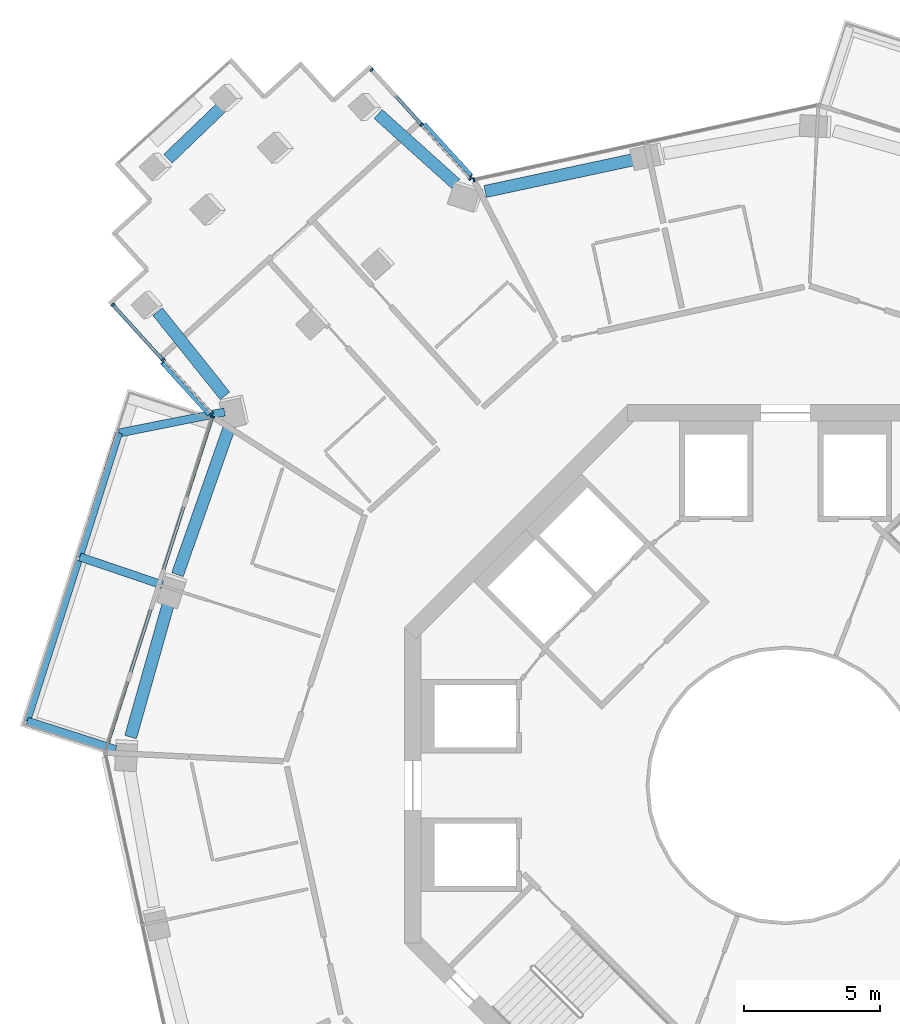
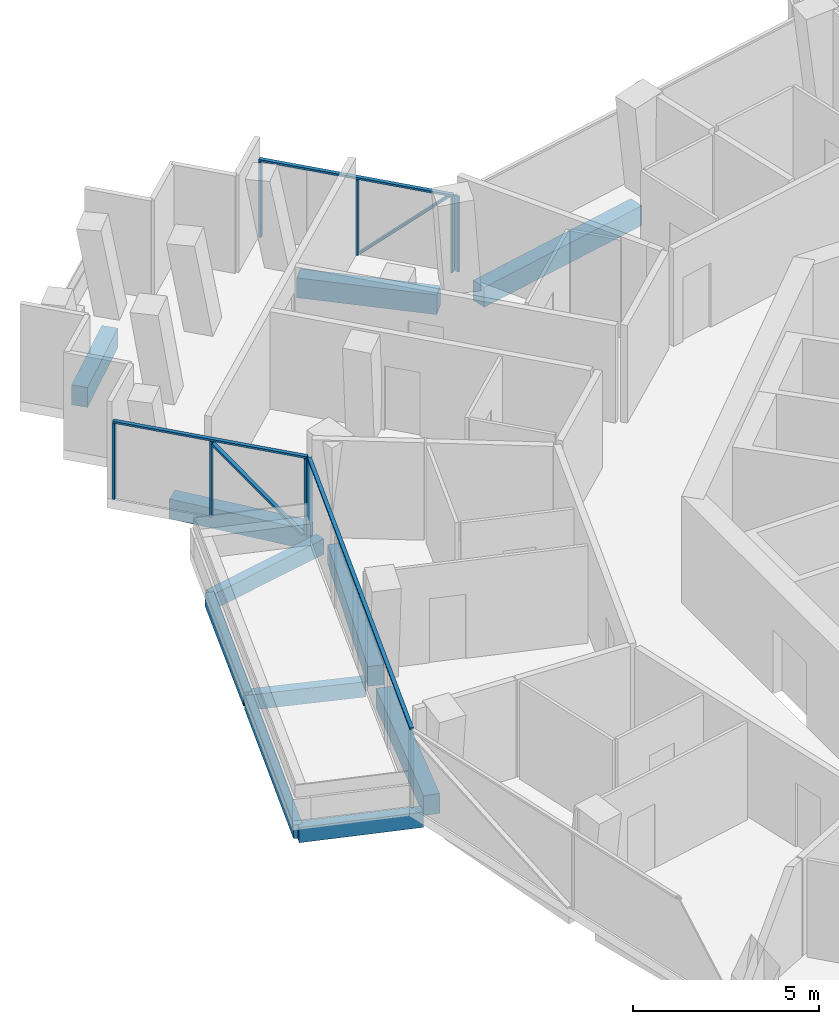
# One storey, part 6 of 23: 13 members, 11 beams, 4 elements without a shape of their own.
"""IFC4 building model written with IfcOpenShell, lengths in metres."""

from ifc_helpers import new_model, si_unit, direction, frame, origin, origin_2d, place, context, subcontext, project, spatial, rectangle, extrude, material, layer, layer_set, material_profile, profile_set, type_object, element, aggregate, save


model = new_model("IFC4")

# Units and contexts
model_context = context("Model", 3, precision=1e-05, world=origin(), true_north=direction((0.0, 1.0)))
body_context = subcontext(model_context, "Body", "Model", "MODEL_VIEW")
ifc_project = project(units=[si_unit("LENGTHUNIT", "METRE"), si_unit("AREAUNIT", "SQUARE_METRE"), si_unit("VOLUMEUNIT", "CUBIC_METRE"), si_unit("PLANEANGLEUNIT", "RADIAN"), si_unit("MASSUNIT", "GRAM", prefix="KILO")], contexts=[model_context])

# Site, building, storey
site_placement = place(None, origin())
site = spatial("IfcSite", under=ifc_project, at=site_placement, CompositionType="ELEMENT")
building_placement = place(site_placement, origin())
building = spatial("IfcBuilding", under=site, at=building_placement, Name="Verdalira Terraces Hotel", CompositionType="ELEMENT")
storey_placement = place(building_placement, frame((0.0, 0.0, 205.5)))
storey = spatial("IfcBuildingStorey", under=building, at=storey_placement, Name="L50", CompositionType="ELEMENT", Elevation=205.5)

# Beams
ifc_material_1 = material(Name="Concrete C40", Category="concrete")
ifc_material_profile_1 = material_profile(ifc_material_1, rectangle(XDim=0.300049, YDim=0.5, at=origin_2d()), Name="RC 300X500")
ifc_profile_set_1 = profile_set([ifc_material_profile_1], Name="Concrete C40")
beam_type_1 = type_object("IfcBeamType", Name="Balcony cantilever beam RC 300X500 C40", PredefinedType="BEAM", material=ifc_profile_set_1)
beam_1_placement = place(storey_placement, frame((-20.615479, 13.725586, -0.560059), z_axis=(-0.980692245, -0.195557463, 0.0), x_axis=(0.195557463, -0.980692245, 0.0)))
element("IfcBeam", 1, at=beam_1_placement, inside=storey, type_object=beam_type_1, Name="Balcony cantilever beam R11-1", PredefinedType="BEAM", context=body_context, shape_type="SweptSolid", body=[
    extrude(rectangle(XDim=0.300049, YDim=0.5, at=origin_2d()), origin(), (0.0, 0.0, 1.0), 3.949951),
])
beam_2_placement = place(storey_placement, frame((-22.901123, 7.37085, -0.560059), z_axis=(-0.947092604, 0.320960432, 0.0), x_axis=(-0.320960432, -0.947092604, 0.0)))
element("IfcBeam", 2, at=beam_2_placement, inside=storey, type_object=beam_type_1, Name="Balcony cantilever beam R11-2", PredefinedType="BEAM", context=body_context, shape_type="SweptSolid", body=[
    extrude(rectangle(XDim=0.300049, YDim=0.5, at=origin_2d()), origin(), (0.0, 0.0, 1.0), 3.200928),
])
beam_3_placement = place(storey_placement, frame((-24.617676, 1.321533, -0.560059), z_axis=(-0.952332685, 0.305061398, 0.0), x_axis=(-0.305061398, -0.952332685, 0.0)))
element("IfcBeam", 3, at=beam_3_placement, inside=storey, type_object=beam_type_1, Name="Balcony cantilever beam R11-3", PredefinedType="BEAM", context=body_context, shape_type="SweptSolid", body=[
    extrude(rectangle(XDim=0.300049, YDim=0.5, at=origin_2d()), origin(), (0.0, 0.0, 1.0), 3.410889),
])
ifc_material_2 = material(Name="Concrete C40", Category="concrete")
ifc_material_profile_2 = material_profile(ifc_material_2, rectangle(XDim=0.25, YDim=0.449951, at=origin_2d()), Name="RC 250X450")
ifc_profile_set_2 = profile_set([ifc_material_profile_2], Name="Concrete C40")
beam_type_2 = type_object("IfcBeamType", Name="Balcony edge beam RC 250X450 C40", PredefinedType="BEAM", material=ifc_profile_set_2)
beam_4_placement = place(storey_placement, frame((-24.489258, 12.953125, -0.534912), z_axis=(-0.302075131, -0.953284121, 0.0), x_axis=(0.953284121, -0.302075131, 0.0)))
element("IfcBeam", 4, at=beam_4_placement, inside=storey, type_object=beam_type_2, Name="Balcony edge beam R11-1", PredefinedType="BEAM", context=body_context, shape_type="SweptSolid", body=[
    extrude(rectangle(XDim=0.25, YDim=0.449951, at=origin_2d()), origin(), (0.0, 0.0, 1.0), 4.778076),
])
beam_5_placement = place(storey_placement, frame((-25.978271, 8.255127, -0.534912), z_axis=(-0.305056299, -0.952334319, 0.0), x_axis=(0.952334319, -0.305056299, 0.0)))
element("IfcBeam", 5, at=beam_5_placement, inside=storey, type_object=beam_type_2, Name="Balcony edge beam R11-2", PredefinedType="BEAM", context=body_context, shape_type="SweptSolid", body=[
    extrude(rectangle(XDim=0.25, YDim=0.449951, at=origin_2d()), origin(), (0.0, 0.0, 1.0), 6.187988),
])

# Curtain wall, member
ifc_material_3 = material(Name="Clear glass", Category="glass")
ifc_layer_1 = layer(ifc_material_3, 0.14990234375)
ifc_layer_set_1 = layer_set([ifc_layer_1], Name="CW1 curtain wall")
curtain_wall_type_1 = type_object("IfcCurtainWallType", Name="CW1 curtain wall", PredefinedType="NOTDEFINED", material=ifc_layer_set_1)
curtain_wall_1_placement = place(storey_placement, origin())
curtain_wall_1 = element("IfcCurtainWall", 6, at=curtain_wall_1_placement, inside=storey, type_object=curtain_wall_type_1, Name="CW1 curtain wall L50 edge 11", PredefinedType="NOTDEFINED")
ifc_material_4 = material(Name="Terracotta frame", Category="masonry")
ifc_material_profile_3 = material_profile(ifc_material_4, rectangle(XDim=0.060059, YDim=0.149902, at=origin_2d()), Name="MU 60x150")
ifc_profile_set_3 = profile_set([ifc_material_profile_3], Name="Terracotta frame")
member_type_1 = type_object("IfcMemberType", Name="CW1 mullion 60x150", PredefinedType="MULLION", material=ifc_profile_set_3)
member_1_placement = place(storey_placement, frame((-21.057373, 13.53833, 0.0), z_axis=(0.0, 0.0, 1.0), x_axis=(-0.305030519, -0.952342576, 0.0)))
member_1 = element("IfcMember", 7, at=member_1_placement, type_object=member_type_1, Name="CW1 mullion", PredefinedType="MULLION", context=body_context, shape_type="SweptSolid", body=[
    extrude(rectangle(XDim=0.060059, YDim=0.149902, at=origin_2d()), origin(), (0.0, 0.0, 1.0), 2.475098),
])

curtain_wall_2_placement = place(storey_placement, origin())
curtain_wall_2 = element("IfcCurtainWall", 8, at=curtain_wall_2_placement, inside=storey, type_object=curtain_wall_type_1, Name="CW1 curtain wall L50 edge 41", PredefinedType="NOTDEFINED")
member_2_placement = place(storey_placement, frame((-11.449951, 22.261963, 0.0), z_axis=(0.0, 0.0, 1.0), x_axis=(-0.977268124, -0.21200711, 0.0)))
member_2 = element("IfcMember", 9, at=member_2_placement, type_object=member_type_1, Name="CW1 mullion", PredefinedType="MULLION", context=body_context, shape_type="SweptSolid", body=[
    extrude(rectangle(XDim=0.060059, YDim=0.149902, at=origin_2d()), origin(), (0.0, 0.0, 1.0), 2.475098),
])
aggregate(curtain_wall_2, [member_2])

# Member
ifc_material_5 = material(Name="Terracotta frame", Category="masonry")
ifc_material_profile_4 = material_profile(ifc_material_5, rectangle(XDim=0.110107, YDim=0.064941, at=origin_2d()), Name="TR 65x110")
ifc_profile_set_4 = profile_set([ifc_material_profile_4], Name="Terracotta frame")
member_type_2 = type_object("IfcMemberType", Name="CW1 transom 65x110", PredefinedType="USERDEFINED", material=ifc_profile_set_4)
member_3_placement = place(storey_placement, frame((-21.048096, 13.566895, 2.507568), z_axis=(-0.305027256, -0.952343621, 0.0), x_axis=(0.952343621, -0.305027256, 0.0)))
member_3 = element("IfcMember", 10, at=member_3_placement, type_object=member_type_2, Name="CW1 transom", ObjectType="TRANSOM", PredefinedType="USERDEFINED", context=body_context, shape_type="SweptSolid", body=[
    extrude(rectangle(XDim=0.110107, YDim=0.064941, at=origin_2d()), origin(), (0.0, 0.0, 1.0), 12.959961),
])

aggregate(curtain_wall_1, [member_1, member_3])

# Curtain wall, members
ifc_material_6 = material(Name="Clear glass", Category="glass")
ifc_layer_2 = layer(ifc_material_6, 0.14990234375)
ifc_layer_set_2 = layer_set([ifc_layer_2], Name="CW2 curtain wall")
curtain_wall_type_2 = type_object("IfcCurtainWallType", Name="CW2 curtain wall", PredefinedType="NOTDEFINED", material=ifc_layer_set_2)
curtain_wall_3_placement = place(storey_placement, origin())
curtain_wall_3 = element("IfcCurtainWall", 11, at=curtain_wall_3_placement, inside=storey, type_object=curtain_wall_type_2, Name="CW2 curtain wall L50 edge 0", PredefinedType="NOTDEFINED")
ifc_material_7 = material(Name="Terracotta frame", Category="masonry")
ifc_material_profile_5 = material_profile(ifc_material_7, rectangle(XDim=0.070068, YDim=0.149902, at=origin_2d()), Name="MU 70x150")
ifc_profile_set_5 = profile_set([ifc_material_profile_5], Name="Terracotta frame")
member_type_3 = type_object("IfcMemberType", Name="CW2 mullion 70x150", PredefinedType="MULLION", material=ifc_profile_set_5)
member_4_placement = place(storey_placement, frame((-11.574219, 22.304443, 0.0), z_axis=(0.0, 0.0, 1.0), x_axis=(-0.672237605, 0.740335466, 0.0)))
member_4 = element("IfcMember", 12, at=member_4_placement, type_object=member_type_3, Name="CW2 mullion", PredefinedType="MULLION", context=body_context, shape_type="SweptSolid", body=[
    extrude(rectangle(XDim=0.070068, YDim=0.149902, at=origin_2d()), origin(), (0.0, 0.0, 1.0), 2.475098),
])
member_5_placement = place(storey_placement, frame((-13.36792, 24.279785, 0.0), z_axis=(0.0, 0.0, 1.0), x_axis=(-0.672237605, 0.740335466, 0.0)))
member_5 = element("IfcMember", 13, at=member_5_placement, type_object=member_type_3, Name="CW2 mullion", PredefinedType="MULLION", context=body_context, shape_type="SweptSolid", body=[
    extrude(rectangle(XDim=0.070068, YDim=0.149902, at=origin_2d()), origin(), (0.0, 0.0, 1.0), 2.475098),
])
member_6_placement = place(storey_placement, frame((-15.206543, 26.304443, 0.0), z_axis=(0.0, 0.0, 1.0), x_axis=(-0.672237605, 0.740335466, 0.0)))
member_6 = element("IfcMember", 14, at=member_6_placement, type_object=member_type_3, Name="CW2 mullion", PredefinedType="MULLION", context=body_context, shape_type="SweptSolid", body=[
    extrude(rectangle(XDim=0.070068, YDim=0.149902, at=origin_2d()), origin(), (0.0, 0.0, 1.0), 2.475098),
])

curtain_wall_4_placement = place(storey_placement, origin())
curtain_wall_4 = element("IfcCurtainWall", 15, at=curtain_wall_4_placement, inside=storey, type_object=curtain_wall_type_2, Name="CW2 curtain wall L50 edge 10", PredefinedType="NOTDEFINED")
member_7_placement = place(storey_placement, frame((-24.719727, 17.66626, 0.0), z_axis=(0.0, 0.0, 1.0), x_axis=(0.672237605, -0.740335466, 0.0)))
member_7 = element("IfcMember", 16, at=member_7_placement, type_object=member_type_3, Name="CW2 mullion", PredefinedType="MULLION", context=body_context, shape_type="SweptSolid", body=[
    extrude(rectangle(XDim=0.070068, YDim=0.149902, at=origin_2d()), origin(), (0.0, 0.0, 1.0), 2.475098),
])
member_8_placement = place(storey_placement, frame((-22.881348, 15.641602, 0.0), z_axis=(0.0, 0.0, 1.0), x_axis=(0.672237605, -0.740335466, 0.0)))
member_8 = element("IfcMember", 17, at=member_8_placement, type_object=member_type_3, Name="CW2 mullion", PredefinedType="MULLION", context=body_context, shape_type="SweptSolid", body=[
    extrude(rectangle(XDim=0.070068, YDim=0.149902, at=origin_2d()), origin(), (0.0, 0.0, 1.0), 2.475098),
])
member_9_placement = place(storey_placement, frame((-21.087646, 13.666016, 0.0), z_axis=(0.0, 0.0, 1.0), x_axis=(0.672237605, -0.740335466, 0.0)))
member_9 = element("IfcMember", 18, at=member_9_placement, type_object=member_type_3, Name="CW2 mullion", PredefinedType="MULLION", context=body_context, shape_type="SweptSolid", body=[
    extrude(rectangle(XDim=0.070068, YDim=0.149902, at=origin_2d()), origin(), (0.0, 0.0, 1.0), 2.475098),
])

# Member
ifc_material_8 = material(Name="Terracotta frame", Category="masonry")
ifc_material_profile_6 = material_profile(ifc_material_8, rectangle(XDim=0.11499, YDim=0.064941, at=origin_2d()), Name="TR 65x115")
ifc_profile_set_6 = profile_set([ifc_material_profile_6], Name="Terracotta frame")
member_type_4 = type_object("IfcMemberType", Name="CW2 transom 65x115", PredefinedType="USERDEFINED", material=ifc_profile_set_6)
member_10_placement = place(storey_placement, frame((-11.550781, 22.27832, 2.507568), z_axis=(-0.672206421, 0.740363781, 0.0), x_axis=(-0.740363781, -0.672206421, 0.0)))
member_10 = element("IfcMember", 19, at=member_10_placement, type_object=member_type_4, Name="CW2 transom", ObjectType="TRANSOM", PredefinedType="USERDEFINED", context=body_context, shape_type="SweptSolid", body=[
    extrude(rectangle(XDim=0.11499, YDim=0.064941, at=origin_2d()), origin(), (0.0, 0.0, 1.0), 5.473389),
])

member_11_placement = place(storey_placement, frame((-24.743408, 17.692139, 2.507568), z_axis=(0.672253069, -0.740321424, 0.0), x_axis=(0.740321424, 0.672253069, 0.0)))
member_11 = element("IfcMember", 20, at=member_11_placement, type_object=member_type_4, Name="CW2 transom", ObjectType="TRANSOM", PredefinedType="USERDEFINED", context=body_context, shape_type="SweptSolid", body=[
    extrude(rectangle(XDim=0.11499, YDim=0.064941, at=origin_2d()), origin(), (0.0, 0.0, 1.0), 5.473389),
])

ifc_material_9 = material(Name="Terracotta frame", Category="masonry")
ifc_material_profile_7 = material_profile(ifc_material_9, rectangle(XDim=0.149902, YDim=0.060059, at=origin_2d()), Name="GB 60x150")
ifc_profile_set_7 = profile_set([ifc_material_profile_7], Name="Terracotta frame")
member_type_5 = type_object("IfcMemberType", Name="Diagonal glazing bar 60x150", PredefinedType="USERDEFINED", material=ifc_profile_set_7)
member_12_placement = place(storey_placement, frame((-11.546631, 22.409424, 2.451904), z_axis=(-0.486770823, 0.536064949, -0.689701773), x_axis=(-0.740325544, -0.672248532, 0.0)))
member_12 = element("IfcMember", 21, at=member_12_placement, type_object=member_type_5, Name="Diagonal glazing bar", ObjectType="GLAZING BAR", PredefinedType="USERDEFINED", context=body_context, shape_type="SweptSolid", body=[
    extrude(rectangle(XDim=0.149902, YDim=0.060059, at=origin_2d()), origin(), (0.0, 0.0, 1.0), 3.521484),
])

aggregate(curtain_wall_3, [member_4, member_5, member_6, member_10, member_12])

member_13_placement = place(storey_placement, frame((-22.908691, 15.536377, 2.451904), z_axis=(0.486717918, -0.53608304, -0.689725049), x_axis=(0.740373198, 0.672196049, 0.0)))
member_13 = element("IfcMember", 22, at=member_13_placement, type_object=member_type_5, Name="Diagonal glazing bar", ObjectType="GLAZING BAR", PredefinedType="USERDEFINED", context=body_context, shape_type="SweptSolid", body=[
    extrude(rectangle(XDim=0.149902, YDim=0.060059, at=origin_2d()), origin(), (0.0, 0.0, 1.0), 3.52124),
])

aggregate(curtain_wall_4, [member_7, member_8, member_9, member_11, member_13])

# Beams
ifc_material_10 = material(Name="Concrete C50", Category="concrete")
ifc_material_profile_8 = material_profile(ifc_material_10, rectangle(XDim=0.449951, YDim=0.649902, at=origin_2d()), Name="RC 450X650")
ifc_profile_set_8 = profile_set([ifc_material_profile_8], Name="Concrete C50")
beam_type_3 = type_object("IfcBeamType", Name="Spandrel beam RC 450X650 C50", PredefinedType="SPANDREL", material=ifc_profile_set_8)
beam_6_placement = place(storey_placement, frame((-12.114014, 22.109131, -0.63501), z_axis=(-0.743512118, 0.668722462, 0.0), x_axis=(-0.668722462, -0.743512118, 0.0)))
element("IfcBeam", 23, at=beam_6_placement, inside=storey, type_object=beam_type_3, Name="Spandrel beam B01", PredefinedType="SPANDREL", context=body_context, shape_type="SweptSolid", body=[
    extrude(rectangle(XDim=0.449951, YDim=0.649902, at=origin_2d()), origin(), (0.0, 0.0, 1.0), 3.842041),
])
beam_7_placement = place(storey_placement, frame((-20.602783, 25.04126, -0.63501), z_axis=(-0.721309957, -0.692612407, 0.0), x_axis=(0.692612407, -0.721309957, 0.0)))
element("IfcBeam", 24, at=beam_7_placement, inside=storey, type_object=beam_type_3, Name="Spandrel beam B02", PredefinedType="SPANDREL", context=body_context, shape_type="SweptSolid", body=[
    extrude(rectangle(XDim=0.449951, YDim=0.649902, at=origin_2d()), origin(), (0.0, 0.0, 1.0), 2.901123),
])
beam_8_placement = place(storey_placement, frame((-23.072266, 17.412842, -0.63501), z_axis=(0.624462041, -0.781055157, 0.0), x_axis=(0.781055157, 0.624462041, 0.0)))
element("IfcBeam", 25, at=beam_8_placement, inside=storey, type_object=beam_type_3, Name="Spandrel beam B03", PredefinedType="SPANDREL", context=body_context, shape_type="SweptSolid", body=[
    extrude(rectangle(XDim=0.449951, YDim=0.649902, at=origin_2d()), origin(), (0.0, 0.0, 1.0), 3.96167),
])
beam_9_placement = place(storey_placement, frame((-20.416748, 13.22998, -0.63501), z_axis=(-0.331831476, -0.943338683, 0.0), x_axis=(0.943338683, -0.331831476, 0.0)))
element("IfcBeam", 26, at=beam_9_placement, inside=storey, type_object=beam_type_3, Name="Spandrel beam B04", PredefinedType="SPANDREL", context=body_context, shape_type="SweptSolid", body=[
    extrude(rectangle(XDim=0.449951, YDim=0.649902, at=origin_2d()), origin(), (0.0, 0.0, 1.0), 5.813721),
])
beam_10_placement = place(storey_placement, frame((-22.654785, 6.769531, -0.63501), z_axis=(-0.272209872, -0.962237905, 0.0), x_axis=(0.962237905, -0.272209872, 0.0)))
element("IfcBeam", 27, at=beam_10_placement, inside=storey, type_object=beam_type_3, Name="Spandrel beam B05", PredefinedType="SPANDREL", context=body_context, shape_type="SweptSolid", body=[
    extrude(rectangle(XDim=0.449951, YDim=0.649902, at=origin_2d()), origin(), (0.0, 0.0, 1.0), 5.189453),
])
beam_11_placement = place(storey_placement, frame((-5.455322, 23.025879, -0.63501), z_axis=(-0.977769845, -0.209681019, 0.0), x_axis=(0.209681019, -0.977769845, 0.0)))
element("IfcBeam", 28, at=beam_11_placement, inside=storey, type_object=beam_type_3, Name="Spandrel beam B23", PredefinedType="SPANDREL", context=body_context, shape_type="SweptSolid", body=[
    extrude(rectangle(XDim=0.449951, YDim=0.649902, at=origin_2d()), origin(), (0.0, 0.0, 1.0), 5.706543),
])

save(model, "model.ifc")
